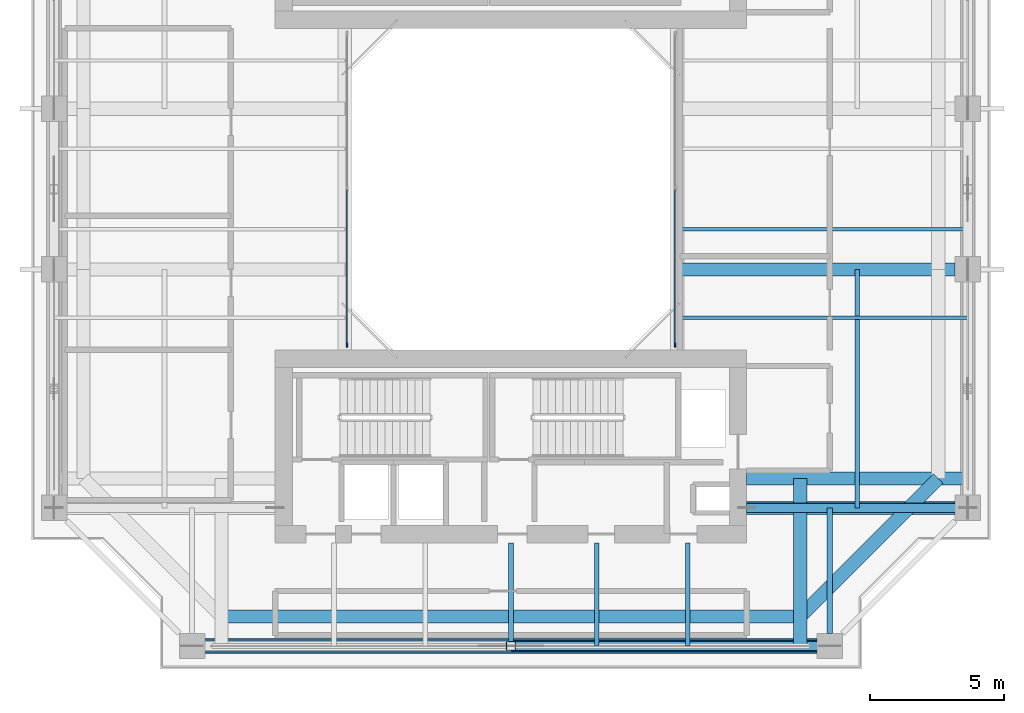
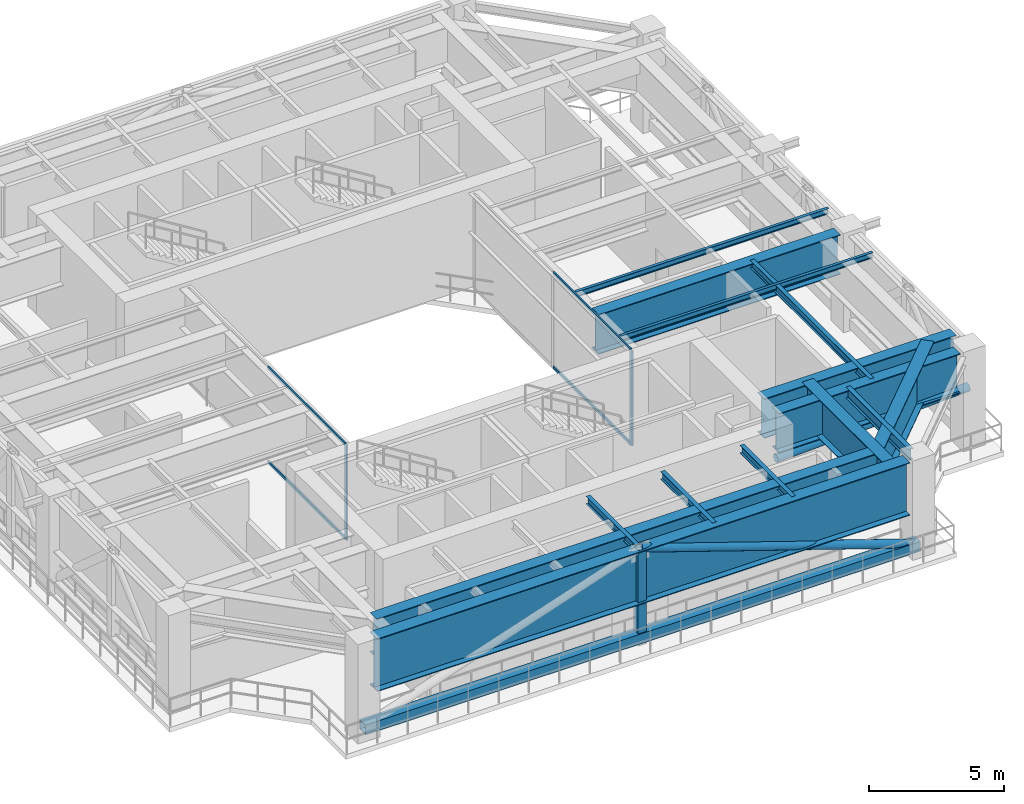
# One storey, part 2 of 11: 14 beams, 10 members, 2 elements without a shape of their own.
"""IFC4 building model written with IfcOpenShell, lengths in metres."""

from ifc_helpers import new_model, si_unit, direction, frame, origin, origin_2d, place, context, subcontext, project, spatial, rectangle, hollow_rectangle, hollow_circle, i_section, extrude, source, transform, mapped, material, layer, layer_set, material_profile, profile_set, type_object, element, aggregate, save


model = new_model("IFC4")

# Units and contexts
model_context = context("Model", 3, precision=1e-05, world=origin(), true_north=direction((0.0, 1.0)))
body_context = subcontext(model_context, "Body", "Model", "MODEL_VIEW")
ifc_project = project(units=[si_unit("LENGTHUNIT", "METRE"), si_unit("AREAUNIT", "SQUARE_METRE"), si_unit("VOLUMEUNIT", "CUBIC_METRE"), si_unit("PLANEANGLEUNIT", "RADIAN"), si_unit("MASSUNIT", "GRAM", prefix="KILO"), si_unit("THERMODYNAMICTEMPERATUREUNIT", "KELVIN"), si_unit("POWERUNIT", "WATT")], contexts=[model_context])

# Site, building, storey
site_placement = place(None, origin())
site = spatial("IfcSite", under=ifc_project, at=site_placement, CompositionType="ELEMENT")
building_placement = place(site_placement, origin())
building = spatial("IfcBuilding", under=site, at=building_placement, Name="Qiaomeng Ring Towers", CompositionType="ELEMENT")
storey_placement = place(building_placement, frame((0.0, 0.0, 186.0)))
storey = spatial("IfcBuildingStorey", under=building, at=storey_placement, Name="L54", CompositionType="ELEMENT", Elevation=186.0)

# Member
ifc_material_1 = material(Name="Steel Q390GJC", Category="steel")
ifc_material_profile_1 = material_profile(ifc_material_1, hollow_rectangle(XDim=0.35009765625, YDim=0.35009765625, WallThickness=0.02001953125, at=origin_2d()), Name="SHS 350x350x20")
ifc_profile_set_1 = profile_set([ifc_material_profile_1], Name="Steel Q390GJC")
member_type_1 = type_object("IfcMemberType", Name="STR-MB-POST-350", PredefinedType="POST", material=ifc_profile_set_1)
shared_shape_1 = source(origin(), body_context, "Body", "SweptSolid", [
    extrude(hollow_rectangle(XDim=0.35009765625, YDim=0.35009765625, WallThickness=0.02001953125, at=origin_2d()), origin(), (0.0, 0.0, 1.0), 4.0),
])
member_1_placement = place(storey_placement, frame((19.0, 5.949951171875, 0.320068359375), z_axis=(0.0, 0.0, 1.0), x_axis=(1.0, 0.0, 0.0)))
element("IfcMember", 1, at=member_1_placement, inside=storey, type_object=member_type_1, Name="L54 Belt Truss Post S1-S2", PredefinedType="POST", context=body_context, shape_type="MappedRepresentation", body=[
    mapped(shared_shape_1, transform((0.0, 0.0, 0.0), x_axis=(1.0, 0.0, 0.0), y_axis=(0.0, 1.0, 0.0), z_axis=(0.0, 0.0, 1.0), scale=1.0)),
])

# Beams
ifc_material_2 = material(Name="Steel Q355B", Category="steel")
ifc_material_profile_2 = material_profile(ifc_material_2, i_section(OverallWidth=0.175048828125, OverallDepth=0.35009765625, WebThickness=0.007080078125, FlangeThickness=0.010986328125, FilletRadius=0.013916015625, at=origin_2d()), Name="HN 350x175x7x11")
ifc_profile_set_2 = profile_set([ifc_material_profile_2], Name="Steel Q355B")
beam_type_1 = type_object("IfcBeamType", Name="STR-BM-HN350", PredefinedType="JOIST", material=ifc_profile_set_2)
shared_shape_2 = source(origin(), body_context, "Body", "SweptSolid", [
    extrude(i_section(OverallWidth=0.175048828125, OverallDepth=0.35009765625, WebThickness=0.007080078125, FlangeThickness=0.010986328125, FilletRadius=0.013916015625, at=origin_2d()), origin(), (0.0, 0.0, 1.0), 3.85009765625),
])
for number, where, z_axis, x_axis, name in (
    (2, (19.0, 5.949951171875, 4.14501953125), (0.0, 1.0, 0.0), (-1.0, 0.0, 0.0), "L54 beam STR-JST-L54-T1S-3"),
    (3, (22.199951171875, 5.949951171875, 4.14501953125), (0.0, 1.0, 0.0), (-1.0, 0.0, 0.0), "L54 beam STR-JST-L54-T1S-4"),
    (4, (25.60009765625, 5.949951171875, 4.14501953125), (0.0, 1.0, 0.0), (-1.0, 0.0, 0.0), "L54 beam STR-JST-L54-T1S-5"),
):
    element("IfcBeam", number, at=place(storey_placement, frame(where, z_axis=z_axis, x_axis=x_axis)), inside=storey, type_object=beam_type_1, Name=name, PredefinedType="JOIST", context=body_context, shape_type="MappedRepresentation", body=[
        mapped(shared_shape_2, transform((0.0, 0.0, 0.0), x_axis=(1.0, 0.0, 0.0), y_axis=(0.0, 1.0, 0.0), z_axis=(0.0, 0.0, 1.0), scale=1.0)),
    ])
ifc_material_profile_3 = material_profile(ifc_material_2, i_section(OverallWidth=0.125, OverallDepth=0.25, WebThickness=0.006103515625, FlangeThickness=0.009033203125, FilletRadius=0.011962890625, at=origin_2d()), Name="HN 250x125x6x9")
ifc_profile_set_3 = profile_set([ifc_material_profile_3], Name="Steel Q355B")
beam_type_2 = type_object("IfcBeamType", Name="STR-BM-HN250", PredefinedType="JOIST", material=ifc_profile_set_3)
shared_shape_3 = source(origin(), body_context, "Body", "SweptSolid", [
    extrude(i_section(OverallWidth=0.125, OverallDepth=0.25, WebThickness=0.006103515625, FlangeThickness=0.009033203125, FilletRadius=0.011962890625, at=origin_2d()), origin(), (0.0, 0.0, 1.0), 10.85009765625),
])
for number, where, z_axis, x_axis, name in (
    (5, (25.199951171875, 18.199951171875, 4.195068359375), (1.0, 0.0, 0.0), (0.0, 1.0, 0.0), "L54 beam STR-JST-L54-T1E-1"),
    (6, (25.199951171875, 21.5, 4.195068359375), (1.0, 0.0, 0.0), (0.0, 1.0, 0.0), "L54 beam STR-JST-L54-T1E-2"),
):
    element("IfcBeam", number, at=place(storey_placement, frame(where, z_axis=z_axis, x_axis=x_axis)), inside=storey, type_object=beam_type_2, Name=name, PredefinedType="JOIST", context=body_context, shape_type="MappedRepresentation", body=[
        mapped(shared_shape_3, transform((0.0, 0.0, 0.0), x_axis=(1.0, 0.0, 0.0), y_axis=(0.0, 1.0, 0.0), z_axis=(0.0, 0.0, 1.0), scale=1.0)),
    ])
shared_shape_4 = source(origin(), body_context, "Body", "SweptSolid", [
    extrude(i_section(OverallWidth=0.175048828125, OverallDepth=0.35009765625, WebThickness=0.007080078125, FlangeThickness=0.010986328125, FilletRadius=0.013916015625, at=origin_2d()), origin(), (0.0, 0.0, 1.0), 8.89990234375),
])
beam_1_placement = place(storey_placement, frame((31.925048828125, 11.10009765625, 4.14501953125), z_axis=(0.0, 1.0, 0.0), x_axis=(-1.0, 0.0, 0.0)))
element("IfcBeam", 7, at=beam_1_placement, inside=storey, type_object=beam_type_1, Name="L54 beam STR-JST-L54-T1C-ES", PredefinedType="JOIST", context=body_context, shape_type="MappedRepresentation", body=[
    mapped(shared_shape_4, transform((0.0, 0.0, 0.0), x_axis=(1.0, 0.0, 0.0), y_axis=(0.0, 1.0, 0.0), z_axis=(0.0, 0.0, 1.0), scale=1.0)),
])

# Member
ifc_material_profile_4 = material_profile(ifc_material_1, hollow_circle(Radius=0.177978515625, WallThickness=0.02001953125, at=origin_2d()), Name="CHS 356x20")
ifc_profile_set_4 = profile_set([ifc_material_profile_4], Name="Steel Q390GJC")
member_type_2 = type_object("IfcMemberType", Name="STR-MB-BR-356", PredefinedType="BRACE", material=ifc_profile_set_4)
shared_shape_5 = source(origin(), body_context, "Body", "SweptSolid", [
    extrude(hollow_circle(Radius=0.177978515625, WallThickness=0.02001953125, at=origin_2d()), origin(), (0.0, 0.0, 1.0), 12.5478515625),
])
member_2_placement = place(storey_placement, frame((30.89990234375, 5.949951171875, 0.320068359375), z_axis=(-0.948363723431, 0.0, 0.317184879967), x_axis=(0.0, -1.0, 0.0)))
element("IfcMember", 8, at=member_2_placement, inside=storey, type_object=member_type_2, Name="L54 Belt Truss Diagonal S2-M", PredefinedType="BRACE", context=body_context, shape_type="MappedRepresentation", body=[
    mapped(shared_shape_5, transform((0.0, 0.0, 0.0), x_axis=(1.0, 0.0, 0.0), y_axis=(0.0, 1.0, 0.0), z_axis=(0.0, 0.0, 1.0), scale=1.0)),
])

# Beams
ifc_material_profile_5 = material_profile(ifc_material_2, i_section(OverallWidth=0.199951171875, OverallDepth=0.5, WebThickness=0.010009765625, FlangeThickness=0.01611328125, FilletRadius=0.02001953125, at=origin_2d()), Name="HN 500x200x10x16")
ifc_profile_set_5 = profile_set([ifc_material_profile_5], Name="Steel Q355B")
beam_type_3 = type_object("IfcBeamType", Name="STR-BM-HN500", PredefinedType="BEAM", material=ifc_profile_set_5)
shared_shape_6 = source(origin(), body_context, "Body", "SweptSolid", [
    extrude(i_section(OverallWidth=0.199951171875, OverallDepth=0.5, WebThickness=0.010009765625, FlangeThickness=0.01611328125, FilletRadius=0.02001953125, at=origin_2d()), origin(), (0.0, 0.0, 1.0), 4.676025390625),
])
beam_2_placement = place(storey_placement, frame((30.89990234375, 6.424072265625, 4.070068359375), z_axis=(0.0, 1.0, 0.0), x_axis=(-1.0, 0.0, 0.0)))
element("IfcBeam", 9, at=beam_2_placement, inside=storey, type_object=beam_type_3, Name="L54 beam STR-BM-L54-T1-RAD-S2", PredefinedType="BEAM", context=body_context, shape_type="MappedRepresentation", body=[
    mapped(shared_shape_6, transform((0.0, 0.0, 0.0), x_axis=(1.0, 0.0, 0.0), y_axis=(0.0, 1.0, 0.0), z_axis=(0.0, 0.0, 1.0), scale=1.0)),
])
ifc_material_profile_6 = material_profile(ifc_material_1, i_section(OverallWidth=0.550048828125, OverallDepth=2.39990234375, WebThickness=0.02587890625, FlangeThickness=0.035888671875, at=origin_2d()), Name="WH 2400x550x26x36")
ifc_profile_set_6 = profile_set([ifc_material_profile_6], Name="Steel Q390GJC")
beam_type_4 = type_object("IfcBeamType", Name="STR-TG-WH2400", PredefinedType="USERDEFINED", material=ifc_profile_set_6)
shared_shape_7 = source(origin(), body_context, "Body", "SweptSolid", [
    extrude(i_section(OverallWidth=0.550048828125, OverallDepth=2.39990234375, WebThickness=0.02587890625, FlangeThickness=0.035888671875, at=origin_2d()), origin(), (0.0, 0.0, 1.0), 22.85205078125),
])
beam_3_placement = place(storey_placement, frame((7.573974609375, 5.949951171875, 3.1201171875), z_axis=(1.0, 0.0, 0.0), x_axis=(0.0, 1.0, 0.0)))
element("IfcBeam", 10, at=beam_3_placement, inside=storey, type_object=beam_type_4, Name="L54 Transfer Girder STR-TG2-L54-OUT-S", ObjectType="TRANSFER GIRDER", PredefinedType="USERDEFINED", context=body_context, shape_type="MappedRepresentation", body=[
    mapped(shared_shape_7, transform((0.0, 0.0, 0.0), x_axis=(1.0, 0.0, 0.0), y_axis=(0.0, 1.0, 0.0), z_axis=(0.0, 0.0, 1.0), scale=1.0)),
])
ifc_material_profile_7 = material_profile(ifc_material_1, i_section(OverallWidth=0.5, OverallDepth=1.800048828125, WebThickness=0.02392578125, FlangeThickness=0.035888671875, at=origin_2d()), Name="WH 1800x500x24x36")
ifc_profile_set_7 = profile_set([ifc_material_profile_7], Name="Steel Q390GJC")
beam_type_5 = type_object("IfcBeamType", Name="STR-TG-WH1800", PredefinedType="USERDEFINED", material=ifc_profile_set_7)
shared_shape_8 = source(origin(), body_context, "Body", "SweptSolid", [
    extrude(i_section(OverallWidth=0.5, OverallDepth=1.800048828125, WebThickness=0.02392578125, FlangeThickness=0.035888671875, at=origin_2d()), origin(), (0.0, 0.0, 1.0), 7.77587890625),
])
beam_4_placement = place(storey_placement, frame((27.800048828125, 11.10009765625, 3.419921875), z_axis=(1.0, 0.0, 0.0), x_axis=(0.0, 1.0, 0.0)))
element("IfcBeam", 11, at=beam_4_placement, inside=storey, type_object=beam_type_5, Name="L54 Transfer Girder STR-TG2-L54-E1-CUR", ObjectType="TRANSFER GIRDER", PredefinedType="USERDEFINED", context=body_context, shape_type="MappedRepresentation", body=[
    mapped(shared_shape_8, transform((0.0, 0.0, 0.0), x_axis=(1.0, 0.0, 0.0), y_axis=(0.0, 1.0, 0.0), z_axis=(0.0, 0.0, 1.0), scale=1.0)),
])
shared_shape_9 = source(origin(), body_context, "Body", "SweptSolid", [
    extrude(i_section(OverallWidth=0.5, OverallDepth=1.800048828125, WebThickness=0.02392578125, FlangeThickness=0.035888671875, at=origin_2d()), origin(), (0.0, 0.0, 1.0), 8.25),
])
beam_5_placement = place(storey_placement, frame((27.800048828125, 12.199951171875, 3.419921875), z_axis=(1.0, 0.0, 0.0), x_axis=(0.0, 1.0, 0.0)))
element("IfcBeam", 12, at=beam_5_placement, inside=storey, type_object=beam_type_5, Name="L54 Transfer Girder STR-TG2-L54-E1-NXT", ObjectType="TRANSFER GIRDER", PredefinedType="USERDEFINED", context=body_context, shape_type="MappedRepresentation", body=[
    mapped(shared_shape_9, transform((0.0, 0.0, 0.0), x_axis=(1.0, 0.0, 0.0), y_axis=(0.0, 1.0, 0.0), z_axis=(0.0, 0.0, 1.0), scale=1.0)),
])
shared_shape_10 = source(origin(), body_context, "Body", "SweptSolid", [
    extrude(i_section(OverallWidth=0.5, OverallDepth=1.800048828125, WebThickness=0.02392578125, FlangeThickness=0.035888671875, at=origin_2d()), origin(), (0.0, 0.0, 1.0), 10.3759765625),
])
beam_6_placement = place(storey_placement, frame((25.199951171875, 20.0, 3.419921875), z_axis=(1.0, 0.0, 0.0), x_axis=(0.0, 1.0, 0.0)))
element("IfcBeam", 13, at=beam_6_placement, inside=storey, type_object=beam_type_5, Name="L54 Transfer Girder STR-TG2-L54-E2", ObjectType="TRANSFER GIRDER", PredefinedType="USERDEFINED", context=body_context, shape_type="MappedRepresentation", body=[
    mapped(shared_shape_10, transform((0.0, 0.0, 0.0), x_axis=(1.0, 0.0, 0.0), y_axis=(0.0, 1.0, 0.0), z_axis=(0.0, 0.0, 1.0), scale=1.0)),
])
shared_shape_11 = source(origin(), body_context, "Body", "SweptSolid", [
    extrude(i_section(OverallWidth=0.5, OverallDepth=1.800048828125, WebThickness=0.02392578125, FlangeThickness=0.035888671875, at=origin_2d()), origin(), (0.0, 0.0, 1.0), 6.25),
])
beam_7_placement = place(storey_placement, frame((29.800048828125, 5.949951171875, 3.419921875), z_axis=(0.0, 1.0, 0.0), x_axis=(-1.0, 0.0, 0.0)))
element("IfcBeam", 14, at=beam_7_placement, inside=storey, type_object=beam_type_5, Name="L54 Transfer Girder STR-TG2-L54-S2", ObjectType="TRANSFER GIRDER", PredefinedType="USERDEFINED", context=body_context, shape_type="MappedRepresentation", body=[
    mapped(shared_shape_11, transform((0.0, 0.0, 0.0), x_axis=(1.0, 0.0, 0.0), y_axis=(0.0, 1.0, 0.0), z_axis=(0.0, 0.0, 1.0), scale=1.0)),
])
shared_shape_12 = source(origin(), body_context, "Body", "SweptSolid", [
    extrude(i_section(OverallWidth=0.5, OverallDepth=1.800048828125, WebThickness=0.02392578125, FlangeThickness=0.035888671875, at=origin_2d()), origin(), (0.0, 0.0, 1.0), 21.60009765625),
])
beam_8_placement = place(storey_placement, frame((8.199951171875, 7.050048828125, 3.419921875), z_axis=(1.0, 0.0, 0.0), x_axis=(0.0, 1.0, 0.0)))
element("IfcBeam", 15, at=beam_8_placement, inside=storey, type_object=beam_type_5, Name="L54 Transfer Girder STR-TG3-L54-S1-S2", ObjectType="TRANSFER GIRDER", PredefinedType="USERDEFINED", context=body_context, shape_type="MappedRepresentation", body=[
    mapped(shared_shape_12, transform((0.0, 0.0, 0.0), x_axis=(1.0, 0.0, 0.0), y_axis=(0.0, 1.0, 0.0), z_axis=(0.0, 0.0, 1.0), scale=1.0)),
])
shared_shape_13 = source(origin(), body_context, "Body", "SweptSolid", [
    extrude(i_section(OverallWidth=0.5, OverallDepth=1.800048828125, WebThickness=0.02392578125, FlangeThickness=0.035888671875, at=origin_2d()), origin(), (0.0, 0.0, 1.0), 7.282958984375),
])
beam_9_placement = place(storey_placement, frame((29.800048828125, 7.050048828125, 3.419921875), z_axis=(0.707106781187, 0.707106781187, 0.0), x_axis=(-0.707106781187, 0.707106781187, 0.0)))
element("IfcBeam", 16, at=beam_9_placement, inside=storey, type_object=beam_type_5, Name="L54 Transfer Girder STR-TG3-L54-S2-E1", ObjectType="TRANSFER GIRDER", PredefinedType="USERDEFINED", context=body_context, shape_type="MappedRepresentation", body=[
    mapped(shared_shape_13, transform((0.0, 0.0, 0.0), x_axis=(1.0, 0.0, 0.0), y_axis=(0.0, 1.0, 0.0), z_axis=(0.0, 0.0, 1.0), scale=1.0)),
])

# Members
ifc_material_profile_8 = material_profile(ifc_material_1, hollow_rectangle(XDim=0.449951171875, YDim=0.449951171875, WallThickness=0.028076171875, at=origin_2d()), Name="SHS 450x450x28")
ifc_profile_set_8 = profile_set([ifc_material_profile_8], Name="Steel Q390GJC")
member_type_3 = type_object("IfcMemberType", Name="STR-MB-CHORD-450", PredefinedType="CHORD", material=ifc_profile_set_8)
shared_shape_14 = source(origin(), body_context, "Body", "SweptSolid", [
    extrude(hollow_rectangle(XDim=0.449951171875, YDim=0.449951171875, WallThickness=0.028076171875, at=origin_2d()), origin(), (0.0, 0.0, 1.0), 23.7998046875),
])
member_3_placement = place(storey_placement, frame((7.10009765625, 5.949951171875, 0.320068359375), z_axis=(1.0, 0.0, 0.0), x_axis=(0.0, 1.0, 0.0)))
element("IfcMember", 17, at=member_3_placement, inside=storey, type_object=member_type_3, Name="L54 Belt Truss Bottom Chord S1-S2", PredefinedType="CHORD", context=body_context, shape_type="MappedRepresentation", body=[
    mapped(shared_shape_14, transform((0.0, 0.0, 0.0), x_axis=(1.0, 0.0, 0.0), y_axis=(0.0, 1.0, 0.0), z_axis=(0.0, 0.0, 1.0), scale=1.0)),
])
shared_shape_15 = source(origin(), body_context, "Body", "SweptSolid", [
    extrude(hollow_circle(Radius=0.177978515625, WallThickness=0.02001953125, at=origin_2d()), origin(), (0.0, 0.0, 1.0), 8.25732421875),
])
member_4_placement = place(storey_placement, frame((27.800048828125, 11.10009765625, 2.14990234375), z_axis=(0.999100803863, 0.0, 0.042397921187), x_axis=(0.0, 1.0, 0.0)))
element("IfcMember", 18, at=member_4_placement, inside=storey, type_object=member_type_2, Name="L54 Core Outrigger Truss Diagonal E1", PredefinedType="BRACE", context=body_context, shape_type="MappedRepresentation", body=[
    mapped(shared_shape_15, transform((0.0, 0.0, 0.0), x_axis=(1.0, 0.0, 0.0), y_axis=(0.0, 1.0, 0.0), z_axis=(0.0, 0.0, 1.0), scale=1.0)),
])

# Curtain wall, members
ifc_material_3 = material(Name="Fluorocarbon dark-grey aluminium", Category="aluminium")
ifc_layer = layer(ifc_material_3, 0.139892578125, Name="Fluorocarbon dark-grey aluminium")
ifc_layer_set = layer_set([ifc_layer], Name="Fluorocarbon dark-grey aluminium")
curtain_wall_type = type_object("IfcCurtainWallType", Name="ARC-CW-4", PredefinedType="NOTDEFINED", material=ifc_layer_set)
curtain_wall_1_placement = place(storey_placement, origin())
curtain_wall_1 = element("IfcCurtainWall", 19, at=curtain_wall_1_placement, inside=storey, type_object=curtain_wall_type, Name="L54 Curtain Wall CW4", PredefinedType="NOTDEFINED")
ifc_material_profile_9 = material_profile(ifc_material_3, rectangle(XDim=0.06494140625, YDim=0.1298828125, at=origin_2d()), Name="ALU TRAN 65x130")
ifc_profile_set_9 = profile_set([ifc_material_profile_9], Name="Fluorocarbon dark-grey aluminium")
member_type_4 = type_object("IfcMemberType", Name="ARC-CWT-120", PredefinedType="USERDEFINED", material=ifc_profile_set_9)
shared_shape_16 = source(origin(), body_context, "Body", "SweptSolid", [
    extrude(rectangle(XDim=0.06494140625, YDim=0.1298828125, at=origin_2d()), origin(), (0.0, 0.0, 1.0), 5.75244140625),
])
member_5_placement = place(storey_placement, frame((12.8798828125, 17.215087890625, 0.032470703125), z_axis=(0.0, 1.0, 0.0), x_axis=(-1.0, 0.0, 0.0)))
member_5 = element("IfcMember", 20, at=member_5_placement, type_object=member_type_4, Name="CW4 transom 1.1", ObjectType="TRANSOM", PredefinedType="USERDEFINED", context=body_context, shape_type="MappedRepresentation", body=[
    mapped(shared_shape_16, transform((0.0, 0.0, 0.0), x_axis=(1.0, 0.0, 0.0), y_axis=(0.0, 1.0, 0.0), z_axis=(0.0, 0.0, 1.0), scale=1.0)),
])
member_6_placement = place(storey_placement, frame((12.8798828125, 17.215087890625, 4.28759765625), z_axis=(0.0, 1.0, 0.0), x_axis=(-1.0, 0.0, 0.0)))
member_6 = element("IfcMember", 21, at=member_6_placement, type_object=member_type_4, Name="CW4 transom 1.2", ObjectType="TRANSOM", PredefinedType="USERDEFINED", context=body_context, shape_type="MappedRepresentation", body=[
    mapped(shared_shape_16, transform((0.0, 0.0, 0.0), x_axis=(1.0, 0.0, 0.0), y_axis=(0.0, 1.0, 0.0), z_axis=(0.0, 0.0, 1.0), scale=1.0)),
])

curtain_wall_2_placement = place(storey_placement, origin())
curtain_wall_2 = element("IfcCurtainWall", 22, at=curtain_wall_2_placement, inside=storey, type_object=curtain_wall_type, Name="L54 Curtain Wall CW4", PredefinedType="NOTDEFINED")
member_7_placement = place(storey_placement, frame((25.1201171875, 17.215087890625, 0.032470703125), z_axis=(0.0, 1.0, 0.0), x_axis=(-1.0, 0.0, 0.0)))
member_7 = element("IfcMember", 23, at=member_7_placement, type_object=member_type_4, Name="CW4 transom 1.1", ObjectType="TRANSOM", PredefinedType="USERDEFINED", context=body_context, shape_type="MappedRepresentation", body=[
    mapped(shared_shape_16, transform((0.0, 0.0, 0.0), x_axis=(1.0, 0.0, 0.0), y_axis=(0.0, 1.0, 0.0), z_axis=(0.0, 0.0, 1.0), scale=1.0)),
])
member_8_placement = place(storey_placement, frame((25.1201171875, 17.215087890625, 4.28759765625), z_axis=(0.0, 1.0, 0.0), x_axis=(-1.0, 0.0, 0.0)))
member_8 = element("IfcMember", 24, at=member_8_placement, type_object=member_type_4, Name="CW4 transom 1.2", ObjectType="TRANSOM", PredefinedType="USERDEFINED", context=body_context, shape_type="MappedRepresentation", body=[
    mapped(shared_shape_16, transform((0.0, 0.0, 0.0), x_axis=(1.0, 0.0, 0.0), y_axis=(0.0, 1.0, 0.0), z_axis=(0.0, 0.0, 1.0), scale=1.0)),
])

# Member
ifc_material_profile_10 = material_profile(ifc_material_3, rectangle(XDim=0.06494140625, YDim=0.159912109375, at=origin_2d()), Name="ALU MULL 65x160")
ifc_profile_set_10 = profile_set([ifc_material_profile_10], Name="Fluorocarbon dark-grey aluminium")
member_type_5 = type_object("IfcMemberType", Name="ARC-CWM-140", PredefinedType="MULLION", material=ifc_profile_set_10)
shared_shape_17 = source(origin(), body_context, "Body", "SweptSolid", [
    extrude(rectangle(XDim=0.06494140625, YDim=0.159912109375, at=origin_2d()), origin(), (0.0, 0.0, 1.0), 4.320068359375),
])
member_9_placement = place(storey_placement, frame((12.8798828125, 17.1826171875, 0.0), z_axis=(0.0, 0.0, 1.0), x_axis=(-1.0, 0.0, 0.0)))
member_9 = element("IfcMember", 25, at=member_9_placement, type_object=member_type_5, Name="CW4 mullion 1", PredefinedType="MULLION", context=body_context, shape_type="MappedRepresentation", body=[
    mapped(shared_shape_17, transform((0.0, 0.0, 0.0), x_axis=(1.0, 0.0, 0.0), y_axis=(0.0, 1.0, 0.0), z_axis=(0.0, 0.0, 1.0), scale=1.0)),
])

aggregate(curtain_wall_1, [member_9, member_5, member_6])

member_10_placement = place(storey_placement, frame((25.1201171875, 17.1826171875, 0.0), z_axis=(0.0, 0.0, 1.0), x_axis=(-1.0, 0.0, 0.0)))
member_10 = element("IfcMember", 26, at=member_10_placement, type_object=member_type_5, Name="CW4 mullion 1", PredefinedType="MULLION", context=body_context, shape_type="MappedRepresentation", body=[
    mapped(shared_shape_17, transform((0.0, 0.0, 0.0), x_axis=(1.0, 0.0, 0.0), y_axis=(0.0, 1.0, 0.0), z_axis=(0.0, 0.0, 1.0), scale=1.0)),
])

aggregate(curtain_wall_2, [member_10, member_7, member_8])

save(model, "model.ifc")
